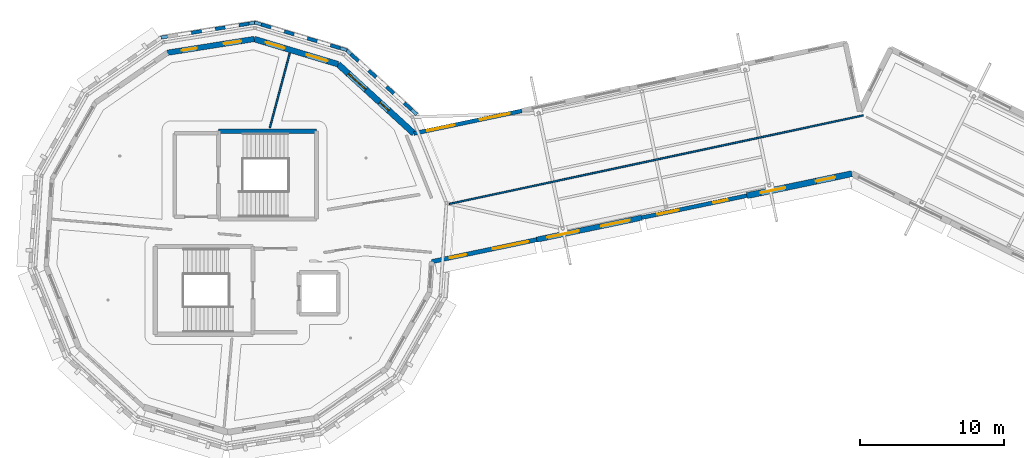
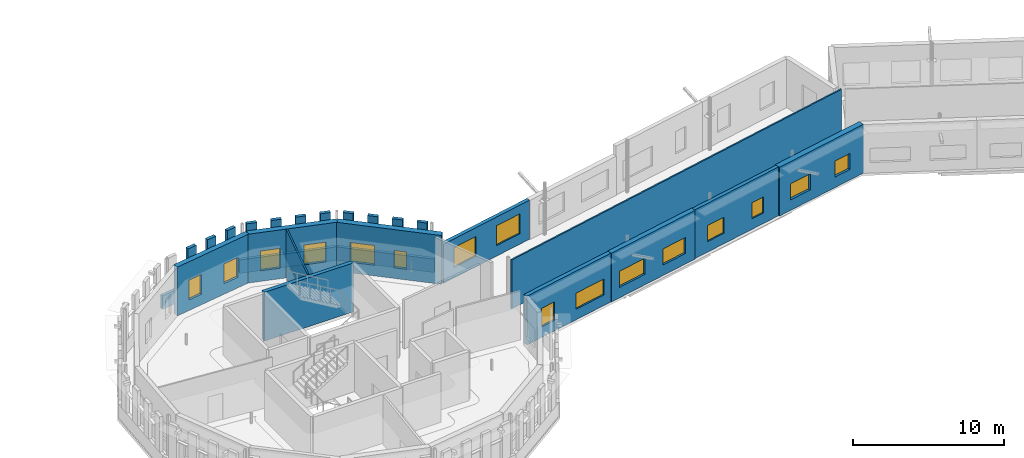
# One storey, part 43 of 68: 25 walls, 16 windows, 16 openings.
"""IFC4 building model written with IfcOpenShell, lengths in metres."""

from ifc_helpers import new_model, si_unit, direction, frame, frame_2d, origin, place, context, subcontext, project, spatial, rectangle, extrude, material, layer, layer_set, type_object, element, fill, save


model = new_model("IFC4")

# Units and contexts
model_context = context("Model", 3, precision=1e-05, world=origin(), true_north=direction((0.0, 1.0)))
body_context = subcontext(model_context, "Body", "Model", "MODEL_VIEW")
ifc_project = project(units=[si_unit("LENGTHUNIT", "METRE"), si_unit("AREAUNIT", "SQUARE_METRE"), si_unit("VOLUMEUNIT", "CUBIC_METRE"), si_unit("PLANEANGLEUNIT", "RADIAN"), si_unit("MASSUNIT", "GRAM", prefix="KILO")], contexts=[model_context])

# Site, building, storey
site_placement = place(None, origin())
site = spatial("IfcSite", under=ifc_project, at=site_placement, CompositionType="ELEMENT")
building_placement = place(site_placement, origin())
building = spatial("IfcBuilding", under=site, at=building_placement, Name="Wrenclough Park School", CompositionType="ELEMENT")
storey_placement = place(building_placement, frame((0.0, 0.0, 12.60009765625)))
storey = spatial("IfcBuildingStorey", under=building, at=storey_placement, Name="L03", CompositionType="ELEMENT", Elevation=12.60009765625)

# Walls
ifc_material_1 = material(Name="Perforated open-bond Staffordshire and Manchester brick screen pier", Category="masonry")
ifc_layer_1 = layer(ifc_material_1, 0.2451171875)
ifc_layer_set_1 = layer_set([ifc_layer_1], Name="Perforated open-bond Staffordshire and Manchester brick screen pier")
wall_type_1 = type_object("IfcWallType", Name="ENV-BS-PR245", PredefinedType="ELEMENTEDWALL", material=ifc_layer_set_1)
for number, where, z_axis, x_axis, name in (
    (1, (94.851318359375, 117.23583984375, 1.08984375), (0.0, 0.0, 1.0), (-0.738093238047, 0.674698726803, 0.0), "D4 L03 perforated brick screen pier 0799"),
    (2, (93.619384765625, 118.36181640625, 1.08984375), (0.0, 0.0, 1.0), (-0.738093238047, 0.674698726803, 0.0), "D4 L03 perforated brick screen pier 0800"),
    (3, (92.3876953125, 119.48779296875, 1.08984375), (0.0, 0.0, 1.0), (-0.738093238047, 0.674698726803, 0.0), "D4 L03 perforated brick screen pier 0801"),
    (4, (91.15576171875, 120.61376953125, 1.08984375), (0.0, 0.0, 1.0), (-0.738093238047, 0.674698726803, 0.0), "D4 L03 perforated brick screen pier 0802"),
    (5, (89.88720703125, 121.512939453125, 1.08984375), (0.0, 0.0, 1.0), (-0.957730379015, 0.287667379297, 0.0), "D4 L03 perforated brick screen pier 0803"),
    (6, (88.288818359375, 121.992919921875, 1.08984375), (0.0, 0.0, 1.0), (-0.957730379015, 0.287667379297, 0.0), "D4 L03 perforated brick screen pier 0804"),
    (7, (86.6904296875, 122.472900390625, 1.08984375), (0.0, 0.0, 1.0), (-0.957826285221, 0.287347885566, 0.0), "D4 L03 perforated brick screen pier 0805"),
    (8, (85.092041015625, 122.952880859375, 1.08984375), (0.0, 0.0, 1.0), (-0.957826285221, 0.287347885566, 0.0), "D4 L03 perforated brick screen pier 0806"),
    (9, (83.55908203125, 123.21240234375, 1.08984375), (0.0, 0.0, 1.0), (-0.987697931756, -0.156373896812, 0.0), "D4 L03 perforated brick screen pier 0807"),
    (10, (81.910888671875, 122.951416015625, 1.08984375), (0.0, 0.0, 1.0), (-0.987697931756, -0.156373896812, 0.0), "D4 L03 perforated brick screen pier 0808"),
    (11, (80.262451171875, 122.690185546875, 1.08984375), (0.0, 0.0, 1.0), (-0.987751666832, -0.156034113801, 0.0), "D4 L03 perforated brick screen pier 0809"),
):
    element("IfcWall", number, at=place(storey_placement, frame(where, z_axis=z_axis, x_axis=x_axis)), inside=storey, type_object=wall_type_1, Name=name, PredefinedType="ELEMENTEDWALL", context=body_context, shape_type="SweptSolid", body=[
        extrude(rectangle(XDim=0.700927734375, YDim=0.2451171875, at=frame_2d((0.3505859375, 0.0))), origin(), (0.0, 0.0, 1.0), 2.85009765625),
    ])
ifc_material_2 = material(Name="Open-bond Manchester multi-stock brick spandrel screen", Category="masonry")
ifc_layer_2 = layer(ifc_material_2, 0.22509765625)
ifc_layer_set_2 = layer_set([ifc_layer_2], Name="Open-bond Manchester multi-stock brick spandrel screen")
wall_type_2 = type_object("IfcWallType", Name="ENV-BS-SP225", PredefinedType="ELEMENTEDWALL", material=ifc_layer_set_2)
wall_1_placement = place(storey_placement, frame((95.20849609375, 116.909423828125, 0.0), z_axis=(0.0, 0.0, 1.0), x_axis=(-0.738121953815, 0.674667311566, 0.0)))
element("IfcWall", 12, at=wall_1_placement, inside=storey, type_object=wall_type_2, Name="D4 L03 open-bond brick screen spandrel 0214", PredefinedType="ELEMENTEDWALL", context=body_context, shape_type="SweptSolid", body=[
    extrude(rectangle(XDim=6.67529296875, YDim=0.22509765625, at=frame_2d((3.337646484375, 0.0))), origin(), (0.0, 0.0, 1.0), 1.08984375),
])
for number, where, z_axis, x_axis, name in (
    (13, (90.350830078125, 121.373779296875, 0.0), (0.0, 0.0, 1.0), (-0.957749751871, 0.287602873404, 0.0), "D4 L03 open-bond brick screen spandrel 0215"),
    (14, (84.037109375, 123.2880859375, 0.0), (0.0, 0.0, 1.0), (-0.987690206406, -0.156422684322, 0.0), "D4 L03 open-bond brick screen spandrel 0216"),
):
    element("IfcWall", number, at=place(storey_placement, frame(where, z_axis=z_axis, x_axis=x_axis)), inside=storey, type_object=wall_type_2, Name=name, PredefinedType="ELEMENTEDWALL", context=body_context, shape_type="SweptSolid", body=[
        extrude(rectangle(XDim=6.675537109375, YDim=0.22509765625, at=frame_2d((3.337890625, 0.0))), origin(), (0.0, 0.0, 1.0), 1.08984375),
    ])

# Wall, openings, windows
ifc_material_3 = material(Name="Link wing brick-faced cavity wall Concrete C32/40", Category="masonry")
ifc_layer_3 = layer(ifc_material_3, 0.27490234375)
ifc_layer_set_3 = layer_set([ifc_layer_3], Name="Link wing brick-faced cavity wall Concrete C32/40")
wall_type_3 = type_object("IfcWallType", Name="ENV-EW-275", PredefinedType="SOLIDWALL", material=ifc_layer_set_3)
wall_2_placement = place(storey_placement, frame((118.11181640625, 111.27197265625, 0.0), z_axis=(0.0, 0.0, 1.0), x_axis=(-0.978787720784, -0.20487703054, 0.0)))
wall_2 = element("IfcWall", 15, at=wall_2_placement, inside=storey, type_object=wall_type_3, Name="L03 insulated brick external wall 0262", PredefinedType="SOLIDWALL", context=body_context, shape_type="SweptSolid", body=[
    extrude(rectangle(XDim=7.44775390625, YDim=0.27490234375, at=frame_2d((3.723876953125, 0.0))), origin(), (0.0, 0.0, 1.0), 3.93994140625),
])
opening_1_placement = place(wall_2_placement, frame((1.36181640625, 0.0, 0.85009765625)))
opening_1 = element("IfcOpeningElement", 16, at=opening_1_placement, cuts=wall_2, Name="Opening WN-45", PredefinedType="OPENING", context=body_context, shape_type="SweptSolid", body=[
    extrude(rectangle(XDim=1.0, YDim=1.300048828125, at=frame_2d((0.5, 0.64990234375))), frame((0.0, 0.1474609375, 0.0), z_axis=(0.0, -1.0, 0.0), x_axis=(1.0, 0.0, 0.0)), (0.0, 0.0, 1.0), 0.294921875),
])
opening_2_placement = place(wall_2_placement, frame((4.835693359375, 0.0, 0.85009765625)))
opening_2 = element("IfcOpeningElement", 17, at=opening_2_placement, cuts=wall_2, Name="Opening WN-46", PredefinedType="OPENING", context=body_context, shape_type="SweptSolid", body=[
    extrude(rectangle(XDim=1.5, YDim=1.300048828125, at=frame_2d((0.75, 0.64990234375))), frame((0.0, 0.1474609375, 0.0), z_axis=(0.0, -1.0, 0.0), x_axis=(1.0, 0.0, 0.0)), (0.0, 0.0, 1.0), 0.294921875),
])
ifc_material_4 = material(Name="Thermally broken aluminium and double-glazed low-e glass", Category="aluminium")
window_type_1 = type_object("IfcWindowType", Name="ENV-WN-45", PartitioningType="SINGLE_PANEL", PredefinedType="WINDOW", material=ifc_material_4)
window_1_placement = place(opening_1_placement, origin())
window_1 = element("IfcWindow", 18, at=window_1_placement, inside=storey, type_object=window_type_1, Name="L03 scheduled facade window 0436", OverallHeight=1.300048828125, OverallWidth=1.0, PartitioningType="SINGLE_PANEL", PredefinedType="WINDOW", context=body_context, shape_type="SweptSolid", body=[
    extrude(rectangle(XDim=1.0, YDim=1.300048828125, at=frame_2d((0.5, 0.64990234375))), frame((0.0, 0.030029296875, 0.0), z_axis=(0.0, -1.0, 0.0), x_axis=(1.0, 0.0, 0.0)), (0.0, 0.0, 1.0), 0.06005859375),
])
fill(opening_1, window_1)
window_type_2 = type_object("IfcWindowType", Name="ENV-WN-46", PartitioningType="DOUBLE_PANEL_VERTICAL", PredefinedType="WINDOW", material=ifc_material_4)
window_2_placement = place(opening_2_placement, origin())
window_2 = element("IfcWindow", 19, at=window_2_placement, inside=storey, type_object=window_type_2, Name="L03 scheduled facade window 0437", OverallHeight=1.300048828125, OverallWidth=1.5, PartitioningType="SINGLE_PANEL", PredefinedType="WINDOW", context=body_context, shape_type="SweptSolid", body=[
    extrude(rectangle(XDim=1.5, YDim=1.300048828125, at=frame_2d((0.75, 0.64990234375))), frame((0.0, 0.030029296875, 0.0), z_axis=(0.0, -1.0, 0.0), x_axis=(1.0, 0.0, 0.0)), (0.0, 0.0, 1.0), 0.06005859375),
])
fill(opening_2, window_2)

wall_3_placement = place(storey_placement, frame((95.006591796875, 115.590087890625, 0.0), z_axis=(0.0, 0.0, 1.0), x_axis=(0.978789137369, 0.204870262772, 0.0)))
wall_3 = element("IfcWall", 20, at=wall_3_placement, inside=storey, type_object=wall_type_3, Name="L03 insulated brick external wall 0278", PredefinedType="SOLIDWALL", context=body_context, shape_type="SweptSolid", body=[
    extrude(rectangle(XDim=7.65185546875, YDim=0.27490234375, at=frame_2d((3.825927734375, 0.0))), origin(), (0.0, 0.0, 1.0), 3.156982421875),
])
opening_3_placement = place(wall_3_placement, frame((0.93798828125, 0.0, 0.85009765625)))
opening_3 = element("IfcOpeningElement", 21, at=opening_3_placement, cuts=wall_3, Name="Opening WN-20", PredefinedType="OPENING", context=body_context, shape_type="SweptSolid", body=[
    extrude(rectangle(XDim=1.949951171875, YDim=1.60009765625, at=frame_2d((0.97509765625, 0.800048828125))), frame((0.0, 0.1474609375, 0.0), z_axis=(0.0, -1.0, 0.0), x_axis=(1.0, 0.0, 0.0)), (0.0, 0.0, 1.0), 0.294921875),
])
opening_4_placement = place(wall_3_placement, frame((4.688720703125, 0.0, 0.85009765625)))
opening_4 = element("IfcOpeningElement", 22, at=opening_4_placement, cuts=wall_3, Name="Opening WN-21", PredefinedType="OPENING", context=body_context, shape_type="SweptSolid", body=[
    extrude(rectangle(XDim=2.10009765625, YDim=1.60009765625, at=frame_2d((1.050048828125, 0.800048828125))), frame((0.0, 0.1474609375, 0.0), z_axis=(0.0, -1.0, 0.0), x_axis=(1.0, 0.0, 0.0)), (0.0, 0.0, 1.0), 0.294921875),
])
window_type_3 = type_object("IfcWindowType", Name="ENV-WN-20", PartitioningType="DOUBLE_PANEL_VERTICAL", PredefinedType="WINDOW", material=ifc_material_4)
window_3_placement = place(opening_3_placement, origin())
window_3 = element("IfcWindow", 23, at=window_3_placement, inside=storey, type_object=window_type_3, Name="L03 scheduled facade window 0467", OverallHeight=1.60009765625, OverallWidth=1.949951171875, PartitioningType="SINGLE_PANEL", PredefinedType="WINDOW", context=body_context, shape_type="SweptSolid", body=[
    extrude(rectangle(XDim=1.949951171875, YDim=1.60009765625, at=frame_2d((0.97509765625, 0.800048828125))), frame((0.0, 0.030029296875, 0.0), z_axis=(0.0, -1.0, 0.0), x_axis=(1.0, 0.0, 0.0)), (0.0, 0.0, 1.0), 0.06005859375),
])
fill(opening_3, window_3)
window_type_4 = type_object("IfcWindowType", Name="ENV-WN-21", PartitioningType="DOUBLE_PANEL_VERTICAL", PredefinedType="WINDOW", material=ifc_material_4)
window_4_placement = place(opening_4_placement, origin())
window_4 = element("IfcWindow", 24, at=window_4_placement, inside=storey, type_object=window_type_4, Name="L03 scheduled facade window 0468", OverallHeight=1.60009765625, OverallWidth=2.10009765625, PartitioningType="SINGLE_PANEL", PredefinedType="WINDOW", context=body_context, shape_type="SweptSolid", body=[
    extrude(rectangle(XDim=2.10009765625, YDim=1.60009765625, at=frame_2d((1.050048828125, 0.800048828125))), frame((0.0, 0.030029296875, 0.0), z_axis=(0.0, -1.0, 0.0), x_axis=(1.0, 0.0, 0.0)), (0.0, 0.0, 1.0), 0.06005859375),
])
fill(opening_4, window_4)

ifc_material_5 = material(Name="Manchester multi-stock brick and Concrete C32/40 inner leaf", Category="masonry")
ifc_layer_4 = layer(ifc_material_5, 0.300048828125)
ifc_layer_set_4 = layer_set([ifc_layer_4], Name="Manchester multi-stock brick and Concrete C32/40 inner leaf")
wall_type_4 = type_object("IfcWallType", Name="ENV-EW-300", PredefinedType="SOLIDWALL", material=ifc_layer_set_4)
wall_4_placement = place(storey_placement, frame((103.5322265625, 108.220458984375, 0.0), z_axis=(0.0, 0.0, 1.0), x_axis=(-0.978786344777, -0.204883604222, 0.0)))
wall_4 = element("IfcWall", 25, at=wall_4_placement, inside=storey, type_object=wall_type_4, Name="L03 insulated brick external wall 0264", PredefinedType="SOLIDWALL", context=body_context, shape_type="SweptSolid", body=[
    extrude(rectangle(XDim=7.447509765625, YDim=0.300048828125, at=frame_2d((3.7236328125, 0.0))), origin(), (0.0, 0.0, 1.0), 3.93994140625),
])
opening_5_placement = place(wall_4_placement, frame((0.61181640625, 0.0, 0.85009765625)))
opening_5 = element("IfcOpeningElement", 26, at=opening_5_placement, cuts=wall_4, Name="Opening WN-49", PredefinedType="OPENING", context=body_context, shape_type="SweptSolid", body=[
    extrude(rectangle(XDim=2.5, YDim=1.300048828125, at=frame_2d((1.25, 0.64990234375))), frame((0.0, 0.159912109375, 0.0), z_axis=(0.0, -1.0, 0.0), x_axis=(1.0, 0.0, 0.0)), (0.0, 0.0, 1.0), 0.320068359375),
])
opening_6_placement = place(wall_4_placement, frame((5.0107421875, 0.0, 0.85009765625)))
opening_6 = element("IfcOpeningElement", 27, at=opening_6_placement, cuts=wall_4, Name="Opening WN-50", PredefinedType="OPENING", context=body_context, shape_type="SweptSolid", body=[
    extrude(rectangle(XDim=1.14990234375, YDim=1.5, at=frame_2d((0.574951171875, 0.75))), frame((0.0, 0.159912109375, 0.0), z_axis=(0.0, -1.0, 0.0), x_axis=(1.0, 0.0, 0.0)), (0.0, 0.0, 1.0), 0.320068359375),
])
window_type_5 = type_object("IfcWindowType", Name="ENV-WN-49", PartitioningType="DOUBLE_PANEL_VERTICAL", PredefinedType="WINDOW", material=ifc_material_4)
window_5_placement = place(opening_5_placement, origin())
window_5 = element("IfcWindow", 28, at=window_5_placement, inside=storey, type_object=window_type_5, Name="L03 scheduled facade window 0440", OverallHeight=1.300048828125, OverallWidth=2.5, PartitioningType="SINGLE_PANEL", PredefinedType="WINDOW", context=body_context, shape_type="SweptSolid", body=[
    extrude(rectangle(XDim=2.5, YDim=1.300048828125, at=frame_2d((1.25, 0.64990234375))), frame((0.0, 0.030029296875, 0.0), z_axis=(0.0, -1.0, 0.0), x_axis=(1.0, 0.0, 0.0)), (0.0, 0.0, 1.0), 0.06005859375),
])
fill(opening_5, window_5)
window_type_6 = type_object("IfcWindowType", Name="ENV-WN-50", PartitioningType="SINGLE_PANEL", PredefinedType="WINDOW", material=ifc_material_4)
window_6_placement = place(opening_6_placement, origin())
window_6 = element("IfcWindow", 29, at=window_6_placement, inside=storey, type_object=window_type_6, Name="L03 scheduled facade window 0441", OverallHeight=1.5, OverallWidth=1.14990234375, PartitioningType="SINGLE_PANEL", PredefinedType="WINDOW", context=body_context, shape_type="SweptSolid", body=[
    extrude(rectangle(XDim=1.14990234375, YDim=1.5, at=frame_2d((0.574951171875, 0.75))), frame((0.0, 0.030029296875, 0.0), z_axis=(0.0, -1.0, 0.0), x_axis=(1.0, 0.0, 0.0)), (0.0, 0.0, 1.0), 0.06005859375),
])
fill(opening_6, window_6)

ifc_material_6 = material(Name="Faceted courtyard brick-cavity wall Concrete C35/45", Category="masonry")
ifc_layer_5 = layer(ifc_material_6, 0.364990234375)
ifc_layer_set_5 = layer_set([ifc_layer_5], Name="Faceted courtyard brick-cavity wall Concrete C35/45")
wall_type_5 = type_object("IfcWallType", Name="ENV-EW-365", PredefinedType="SOLIDWALL", material=ifc_layer_set_5)
wall_5_placement = place(storey_placement, frame((110.822021484375, 109.74609375, 0.0), z_axis=(0.0, 0.0, 1.0), x_axis=(-0.978794293799, -0.20484562584, 0.0)))
wall_5 = element("IfcWall", 30, at=wall_5_placement, inside=storey, type_object=wall_type_5, Name="L03 insulated brick external wall 0263", PredefinedType="SOLIDWALL", context=body_context, shape_type="SweptSolid", body=[
    extrude(rectangle(XDim=7.44775390625, YDim=0.364990234375, at=frame_2d((3.723876953125, 0.0))), origin(), (0.0, 0.0, 1.0), 3.93994140625),
])
opening_7_placement = place(wall_5_placement, frame((0.86181640625, 0.0, 0.85009765625)))
opening_7 = element("IfcOpeningElement", 31, at=opening_7_placement, cuts=wall_5, Name="Opening WN-47", PredefinedType="OPENING", context=body_context, shape_type="SweptSolid", body=[
    extrude(rectangle(XDim=2.0, YDim=1.300048828125, at=frame_2d((1.0, 0.64990234375))), frame((0.0, 0.1923828125, 0.0), z_axis=(0.0, -1.0, 0.0), x_axis=(1.0, 0.0, 0.0)), (0.0, 0.0, 1.0), 0.385009765625),
])
opening_8_placement = place(wall_5_placement, frame((4.460693359375, 0.0, 0.85009765625)))
opening_8 = element("IfcOpeningElement", 32, at=opening_8_placement, cuts=wall_5, Name="Opening WN-48", PredefinedType="OPENING", context=body_context, shape_type="SweptSolid", body=[
    extrude(rectangle(XDim=2.25, YDim=1.300048828125, at=frame_2d((1.125, 0.64990234375))), frame((0.0, 0.1923828125, 0.0), z_axis=(0.0, -1.0, 0.0), x_axis=(1.0, 0.0, 0.0)), (0.0, 0.0, 1.0), 0.385009765625),
])
window_type_7 = type_object("IfcWindowType", Name="ENV-WN-47", PartitioningType="DOUBLE_PANEL_VERTICAL", PredefinedType="WINDOW", material=ifc_material_4)
window_7_placement = place(opening_7_placement, origin())
window_7 = element("IfcWindow", 33, at=window_7_placement, inside=storey, type_object=window_type_7, Name="L03 scheduled facade window 0438", OverallHeight=1.300048828125, OverallWidth=2.0, PartitioningType="SINGLE_PANEL", PredefinedType="WINDOW", context=body_context, shape_type="SweptSolid", body=[
    extrude(rectangle(XDim=2.0, YDim=1.300048828125, at=frame_2d((1.0, 0.64990234375))), frame((0.0, 0.030029296875, 0.0), z_axis=(0.0, -1.0, 0.0), x_axis=(1.0, 0.0, 0.0)), (0.0, 0.0, 1.0), 0.06005859375),
])
fill(opening_7, window_7)
window_type_8 = type_object("IfcWindowType", Name="ENV-WN-48", PartitioningType="DOUBLE_PANEL_VERTICAL", PredefinedType="WINDOW", material=ifc_material_4)
window_8_placement = place(opening_8_placement, origin())
window_8 = element("IfcWindow", 34, at=window_8_placement, inside=storey, type_object=window_type_8, Name="L03 scheduled facade window 0439", OverallHeight=1.300048828125, OverallWidth=2.25, PartitioningType="SINGLE_PANEL", PredefinedType="WINDOW", context=body_context, shape_type="SweptSolid", body=[
    extrude(rectangle(XDim=2.25, YDim=1.300048828125, at=frame_2d((1.125, 0.64990234375))), frame((0.0, 0.030029296875, 0.0), z_axis=(0.0, -1.0, 0.0), x_axis=(1.0, 0.0, 0.0)), (0.0, 0.0, 1.0), 0.06005859375),
])
fill(opening_8, window_8)

ifc_material_7 = material(Name="Manchester multi-stock brick and Concrete C35/45 inner leaf", Category="masonry")
ifc_layer_6 = layer(ifc_material_7, 0.3798828125)
ifc_layer_set_6 = layer_set([ifc_layer_6], Name="Manchester multi-stock brick and Concrete C35/45 inner leaf")
wall_type_6 = type_object("IfcWallType", Name="ENV-EW-380", PredefinedType="SOLIDWALL", material=ifc_layer_set_6)
wall_6_placement = place(storey_placement, frame((77.907958984375, 121.19384765625, 0.0), z_axis=(0.0, 0.0, 1.0), x_axis=(0.987690665759, 0.156419783824, 0.0)))
wall_6 = element("IfcWall", 35, at=wall_6_placement, inside=storey, type_object=wall_type_6, Name="L03 insulated brick external wall 0275", PredefinedType="SOLIDWALL", context=body_context, shape_type="SweptSolid", body=[
    extrude(rectangle(XDim=6.087158203125, YDim=0.3798828125, at=frame_2d((3.04345703125, 0.0))), origin(), (0.0, 0.0, 1.0), 3.93994140625),
])
opening_9_placement = place(wall_6_placement, frame((0.996826171875, 0.0, 0.85009765625)))
opening_9 = element("IfcOpeningElement", 36, at=opening_9_placement, cuts=wall_6, Name="Opening WN-14", PredefinedType="OPENING", context=body_context, shape_type="SweptSolid", body=[
    extrude(rectangle(XDim=1.050048828125, YDim=1.60009765625, at=frame_2d((0.52490234375, 0.800048828125))), frame((0.0, 0.199951171875, 0.0), z_axis=(0.0, -1.0, 0.0), x_axis=(1.0, 0.0, 0.0)), (0.0, 0.0, 1.0), 0.39990234375),
])
opening_10_placement = place(wall_6_placement, frame((3.96533203125, 0.0, 0.85009765625)))
opening_10 = element("IfcOpeningElement", 37, at=opening_10_placement, cuts=wall_6, Name="Opening WN-15", PredefinedType="OPENING", context=body_context, shape_type="SweptSolid", body=[
    extrude(rectangle(XDim=1.199951171875, YDim=1.60009765625, at=frame_2d((0.60009765625, 0.800048828125))), frame((0.0, 0.199951171875, 0.0), z_axis=(0.0, -1.0, 0.0), x_axis=(1.0, 0.0, 0.0)), (0.0, 0.0, 1.0), 0.39990234375),
])
window_type_9 = type_object("IfcWindowType", Name="ENV-WN-14", PartitioningType="SINGLE_PANEL", PredefinedType="WINDOW", material=ifc_material_4)
window_9_placement = place(opening_9_placement, origin())
window_9 = element("IfcWindow", 38, at=window_9_placement, inside=storey, type_object=window_type_9, Name="L03 scheduled facade window 0461", OverallHeight=1.60009765625, OverallWidth=1.050048828125, PartitioningType="SINGLE_PANEL", PredefinedType="WINDOW", context=body_context, shape_type="SweptSolid", body=[
    extrude(rectangle(XDim=1.050048828125, YDim=1.60009765625, at=frame_2d((0.52490234375, 0.800048828125))), frame((0.0, 0.030029296875, 0.0), z_axis=(0.0, -1.0, 0.0), x_axis=(1.0, 0.0, 0.0)), (0.0, 0.0, 1.0), 0.06005859375),
])
fill(opening_9, window_9)
window_type_10 = type_object("IfcWindowType", Name="ENV-WN-15", PartitioningType="SINGLE_PANEL", PredefinedType="WINDOW", material=ifc_material_4)
window_10_placement = place(opening_10_placement, origin())
window_10 = element("IfcWindow", 39, at=window_10_placement, inside=storey, type_object=window_type_10, Name="L03 scheduled facade window 0462", OverallHeight=1.60009765625, OverallWidth=1.199951171875, PartitioningType="SINGLE_PANEL", PredefinedType="WINDOW", context=body_context, shape_type="SweptSolid", body=[
    extrude(rectangle(XDim=1.199951171875, YDim=1.60009765625, at=frame_2d((0.60009765625, 0.800048828125))), frame((0.0, 0.030029296875, 0.0), z_axis=(0.0, -1.0, 0.0), x_axis=(1.0, 0.0, 0.0)), (0.0, 0.0, 1.0), 0.06005859375),
])
fill(opening_10, window_10)

ifc_material_8 = material(Name="Staffordshire blue-grey brick and Concrete C40/50 acoustic leaf", Category="masonry")
ifc_layer_7 = layer(ifc_material_8, 0.39990234375)
ifc_layer_set_7 = layer_set([ifc_layer_7], Name="Staffordshire blue-grey brick and Concrete C40/50 acoustic leaf")
wall_type_7 = type_object("IfcWallType", Name="ENV-EW-400", PredefinedType="SOLIDWALL", material=ifc_layer_set_7)
wall_7_placement = place(storey_placement, frame((83.920166015625, 122.14599609375, 0.0), z_axis=(0.0, 0.0, 1.0), x_axis=(0.957750075894, -0.28760179437, 0.0)))
wall_7 = element("IfcWall", 40, at=wall_7_placement, inside=storey, type_object=wall_type_7, Name="L03 insulated brick external wall 0276", PredefinedType="SOLIDWALL", context=body_context, shape_type="SweptSolid", body=[
    extrude(rectangle(XDim=6.08642578125, YDim=0.39990234375, at=frame_2d((3.043212890625, 0.0))), origin(), (0.0, 0.0, 1.0), 3.93994140625),
])
opening_11_placement = place(wall_7_placement, frame((0.8466796875, 0.0, 0.85009765625)))
opening_11 = element("IfcOpeningElement", 41, at=opening_11_placement, cuts=wall_7, Name="Opening WN-16", PredefinedType="OPENING", context=body_context, shape_type="SweptSolid", body=[
    extrude(rectangle(XDim=1.35009765625, YDim=1.60009765625, at=frame_2d((0.675048828125, 0.800048828125))), frame((0.0, 0.2099609375, 0.0), z_axis=(0.0, -1.0, 0.0), x_axis=(1.0, 0.0, 0.0)), (0.0, 0.0, 1.0), 0.419921875),
])
opening_12_placement = place(wall_7_placement, frame((3.81494140625, 0.0, 0.85009765625)))
opening_12 = element("IfcOpeningElement", 42, at=opening_12_placement, cuts=wall_7, Name="Opening WN-17", PredefinedType="OPENING", context=body_context, shape_type="SweptSolid", body=[
    extrude(rectangle(XDim=1.5, YDim=1.60009765625, at=frame_2d((0.75, 0.800048828125))), frame((0.0, 0.2099609375, 0.0), z_axis=(0.0, -1.0, 0.0), x_axis=(1.0, 0.0, 0.0)), (0.0, 0.0, 1.0), 0.419921875),
])
window_type_11 = type_object("IfcWindowType", Name="ENV-WN-16", PartitioningType="SINGLE_PANEL", PredefinedType="WINDOW", material=ifc_material_4)
window_11_placement = place(opening_11_placement, origin())
window_11 = element("IfcWindow", 43, at=window_11_placement, inside=storey, type_object=window_type_11, Name="L03 scheduled facade window 0463", OverallHeight=1.60009765625, OverallWidth=1.35009765625, PartitioningType="SINGLE_PANEL", PredefinedType="WINDOW", context=body_context, shape_type="SweptSolid", body=[
    extrude(rectangle(XDim=1.35009765625, YDim=1.60009765625, at=frame_2d((0.675048828125, 0.800048828125))), frame((0.0, 0.030029296875, 0.0), z_axis=(0.0, -1.0, 0.0), x_axis=(1.0, 0.0, 0.0)), (0.0, 0.0, 1.0), 0.06005859375),
])
fill(opening_11, window_11)
window_type_12 = type_object("IfcWindowType", Name="ENV-WN-17", PartitioningType="DOUBLE_PANEL_VERTICAL", PredefinedType="WINDOW", material=ifc_material_4)
window_12_placement = place(opening_12_placement, origin())
window_12 = element("IfcWindow", 44, at=window_12_placement, inside=storey, type_object=window_type_12, Name="L03 scheduled facade window 0464", OverallHeight=1.60009765625, OverallWidth=1.5, PartitioningType="SINGLE_PANEL", PredefinedType="WINDOW", context=body_context, shape_type="SweptSolid", body=[
    extrude(rectangle(XDim=1.5, YDim=1.60009765625, at=frame_2d((0.75, 0.800048828125))), frame((0.0, 0.030029296875, 0.0), z_axis=(0.0, -1.0, 0.0), x_axis=(1.0, 0.0, 0.0)), (0.0, 0.0, 1.0), 0.06005859375),
])
fill(opening_12, window_12)

ifc_material_9 = material(Name="Insulated brick-clad sports hall wall Concrete C40/50", Category="masonry")
ifc_layer_8 = layer(ifc_material_9, 0.425048828125)
ifc_layer_set_8 = layer_set([ifc_layer_8], Name="Insulated brick-clad sports hall wall Concrete C40/50")
wall_type_8 = type_object("IfcWallType", Name="ENV-EW-425", PredefinedType="SOLIDWALL", material=ifc_layer_set_8)
wall_8_placement = place(storey_placement, frame((125.401611328125, 112.797607421875, 0.0), z_axis=(0.0, 0.0, 1.0), x_axis=(-0.978794293799, -0.20484562584, 0.0)))
wall_8 = element("IfcWall", 45, at=wall_8_placement, inside=storey, type_object=wall_type_8, Name="L03 insulated brick external wall 0261", PredefinedType="SOLIDWALL", context=body_context, shape_type="SweptSolid", body=[
    extrude(rectangle(XDim=7.44775390625, YDim=0.425048828125, at=frame_2d((3.723876953125, 0.0))), origin(), (0.0, 0.0, 1.0), 3.93994140625),
])
opening_13_placement = place(wall_8_placement, frame((1.18701171875, 0.0, 0.85009765625)))
opening_13 = element("IfcOpeningElement", 46, at=opening_13_placement, cuts=wall_8, Name="Opening WN-43", PredefinedType="OPENING", context=body_context, shape_type="SweptSolid", body=[
    extrude(rectangle(XDim=1.35009765625, YDim=1.300048828125, at=frame_2d((0.675048828125, 0.64990234375))), frame((0.0, 0.222412109375, 0.0), z_axis=(0.0, -1.0, 0.0), x_axis=(1.0, 0.0, 0.0)), (0.0, 0.0, 1.0), 0.445068359375),
])
opening_14_placement = place(wall_8_placement, frame((4.710693359375, 0.0, 0.85009765625)))
opening_14 = element("IfcOpeningElement", 47, at=opening_14_placement, cuts=wall_8, Name="Opening WN-44", PredefinedType="OPENING", context=body_context, shape_type="SweptSolid", body=[
    extrude(rectangle(XDim=1.75, YDim=1.300048828125, at=frame_2d((0.875, 0.64990234375))), frame((0.0, 0.222412109375, 0.0), z_axis=(0.0, -1.0, 0.0), x_axis=(1.0, 0.0, 0.0)), (0.0, 0.0, 1.0), 0.445068359375),
])
window_type_13 = type_object("IfcWindowType", Name="ENV-WN-43", PartitioningType="SINGLE_PANEL", PredefinedType="WINDOW", material=ifc_material_4)
window_13_placement = place(opening_13_placement, origin())
window_13 = element("IfcWindow", 48, at=window_13_placement, inside=storey, type_object=window_type_13, Name="L03 scheduled facade window 0434", OverallHeight=1.300048828125, OverallWidth=1.35009765625, PartitioningType="SINGLE_PANEL", PredefinedType="WINDOW", context=body_context, shape_type="SweptSolid", body=[
    extrude(rectangle(XDim=1.35009765625, YDim=1.300048828125, at=frame_2d((0.675048828125, 0.64990234375))), frame((0.0, 0.030029296875, 0.0), z_axis=(0.0, -1.0, 0.0), x_axis=(1.0, 0.0, 0.0)), (0.0, 0.0, 1.0), 0.06005859375),
])
fill(opening_13, window_13)
window_type_14 = type_object("IfcWindowType", Name="ENV-WN-44", PartitioningType="DOUBLE_PANEL_VERTICAL", PredefinedType="WINDOW", material=ifc_material_4)
window_14_placement = place(opening_14_placement, origin())
window_14 = element("IfcWindow", 49, at=window_14_placement, inside=storey, type_object=window_type_14, Name="L03 scheduled facade window 0435", OverallHeight=1.300048828125, OverallWidth=1.75, PartitioningType="SINGLE_PANEL", PredefinedType="WINDOW", context=body_context, shape_type="SweptSolid", body=[
    extrude(rectangle(XDim=1.75, YDim=1.300048828125, at=frame_2d((0.875, 0.64990234375))), frame((0.0, 0.030029296875, 0.0), z_axis=(0.0, -1.0, 0.0), x_axis=(1.0, 0.0, 0.0)), (0.0, 0.0, 1.0), 0.06005859375),
])
fill(opening_14, window_14)

wall_9_placement = place(storey_placement, frame((89.74951171875, 120.3955078125, 0.0), z_axis=(0.0, 0.0, 1.0), x_axis=(0.738102453677, -0.674688645136, 0.0)))
wall_9 = element("IfcWall", 50, at=wall_9_placement, inside=storey, type_object=wall_type_8, Name="L03 insulated brick external wall 0277", PredefinedType="SOLIDWALL", context=body_context, shape_type="SweptSolid", body=[
    extrude(rectangle(XDim=7.122314453125, YDim=0.425048828125, at=frame_2d((3.56103515625, 0.0))), origin(), (0.0, 0.0, 1.0), 3.93994140625),
])
opening_15_placement = place(wall_9_placement, frame((0.95556640625, 0.0, 0.85009765625)))
opening_15 = element("IfcOpeningElement", 51, at=opening_15_placement, cuts=wall_9, Name="Opening WN-18", PredefinedType="OPENING", context=body_context, shape_type="SweptSolid", body=[
    extrude(rectangle(XDim=1.64990234375, YDim=1.60009765625, at=frame_2d((0.824951171875, 0.800048828125))), frame((0.0, 0.222412109375, 0.0), z_axis=(0.0, -1.0, 0.0), x_axis=(1.0, 0.0, 0.0)), (0.0, 0.0, 1.0), 0.445068359375),
])
opening_16_placement = place(wall_9_placement, frame((3.9111328125, 0.0, 0.85009765625)))
opening_16 = element("IfcOpeningElement", 52, at=opening_16_placement, cuts=wall_9, Name="Opening WN-01", PredefinedType="OPENING", context=body_context, shape_type="SweptSolid", body=[
    extrude(rectangle(XDim=0.85009765625, YDim=1.39990234375, at=frame_2d((0.425048828125, 0.699951171875))), frame((0.0, 0.222412109375, 0.0), z_axis=(0.0, -1.0, 0.0), x_axis=(1.0, 0.0, 0.0)), (0.0, 0.0, 1.0), 0.445068359375),
])
window_type_15 = type_object("IfcWindowType", Name="ENV-WN-01", PartitioningType="SINGLE_PANEL", PredefinedType="WINDOW", material=ifc_material_4)
window_15_placement = place(opening_16_placement, origin())
window_15 = element("IfcWindow", 53, at=window_15_placement, inside=storey, type_object=window_type_15, Name="L03 scheduled facade window 0466", OverallHeight=1.39990234375, OverallWidth=0.85009765625, PartitioningType="SINGLE_PANEL", PredefinedType="WINDOW", context=body_context, shape_type="SweptSolid", body=[
    extrude(rectangle(XDim=0.85009765625, YDim=1.39990234375, at=frame_2d((0.425048828125, 0.699951171875))), frame((0.0, 0.030029296875, 0.0), z_axis=(0.0, -1.0, 0.0), x_axis=(1.0, 0.0, 0.0)), (0.0, 0.0, 1.0), 0.06005859375),
])
fill(opening_16, window_15)
window_type_16 = type_object("IfcWindowType", Name="ENV-WN-18", PartitioningType="DOUBLE_PANEL_VERTICAL", PredefinedType="WINDOW", material=ifc_material_4)
window_16_placement = place(opening_15_placement, origin())
window_16 = element("IfcWindow", 54, at=window_16_placement, inside=storey, type_object=window_type_16, Name="L03 scheduled facade window 0465", OverallHeight=1.60009765625, OverallWidth=1.64990234375, PartitioningType="SINGLE_PANEL", PredefinedType="WINDOW", context=body_context, shape_type="SweptSolid", body=[
    extrude(rectangle(XDim=1.64990234375, YDim=1.60009765625, at=frame_2d((0.824951171875, 0.800048828125))), frame((0.0, 0.030029296875, 0.0), z_axis=(0.0, -1.0, 0.0), x_axis=(1.0, 0.0, 0.0)), (0.0, 0.0, 1.0), 0.06005859375),
])
fill(opening_15, window_16)

# Walls
ifc_material_10 = material(Name="Concrete C40/50", Category="concrete")
ifc_layer_9 = layer(ifc_material_10, 0.2900390625)
ifc_layer_set_9 = layer_set([ifc_layer_9], Name="Concrete C40/50")
wall_type_9 = type_object("IfcWallType", Name="INT-CW-290", PredefinedType="SHEAR", material=ifc_layer_set_9)
wall_10_placement = place(storey_placement, frame((88.2451171875, 115.7451171875, 0.0), z_axis=(0.0, 0.0, 1.0), x_axis=(-1.0, 0.0, 0.0)))
element("IfcWall", 55, at=wall_10_placement, inside=storey, type_object=wall_type_9, Name="Core C4B L03 north shear wall", PredefinedType="SHEAR", context=body_context, shape_type="SweptSolid", body=[
    extrude(rectangle(XDim=6.7900390625, YDim=0.2900390625, at=frame_2d((3.39501953125, 0.0))), origin(), (0.0, 0.0, 1.0), 3.949951171875),
])
ifc_material_11 = material(Name="Lightweight fire-rated store partition", Category="gypsum")
ifc_layer_10 = layer(ifc_material_11, 0.110107421875)
ifc_layer_set_10 = layer_set([ifc_layer_10], Name="Lightweight fire-rated store partition")
wall_type_10 = type_object("IfcWallType", Name="INT-PW-110", PredefinedType="PARTITIONING", material=ifc_layer_set_10)
wall_11_placement = place(storey_placement, frame((85.005615234375, 115.985107421875, 0.0), z_axis=(0.0, 0.0, 1.0), x_axis=(0.258806589257, 0.965929163737, 0.0)))
element("IfcWall", 56, at=wall_11_placement, inside=storey, type_object=wall_type_10, Name="L03 internal partition 0474", PredefinedType="PARTITIONING", context=body_context, shape_type="SweptSolid", body=[
    extrude(rectangle(XDim=5.36572265625, YDim=0.110107421875, at=frame_2d((2.682861328125, 0.0))), origin(), (0.0, 0.0, 1.0), 3.93994140625),
])
wall_12_placement = place(storey_placement, frame((97.4658203125, 110.70166015625, 0.0), z_axis=(0.0, 0.0, 1.0), x_axis=(0.977895469689, 0.209094357555, 0.0)))
element("IfcWall", 57, at=wall_12_placement, inside=storey, type_object=wall_type_10, Name="L03 internal partition 0488", PredefinedType="PARTITIONING", context=body_context, shape_type="SweptSolid", body=[
    extrude(rectangle(XDim=29.37939453125, YDim=0.110107421875, at=frame_2d((14.689697265625, 0.0))), origin(), (0.0, 0.0, 1.0), 3.949951171875),
])

save(model, "model.ifc")
